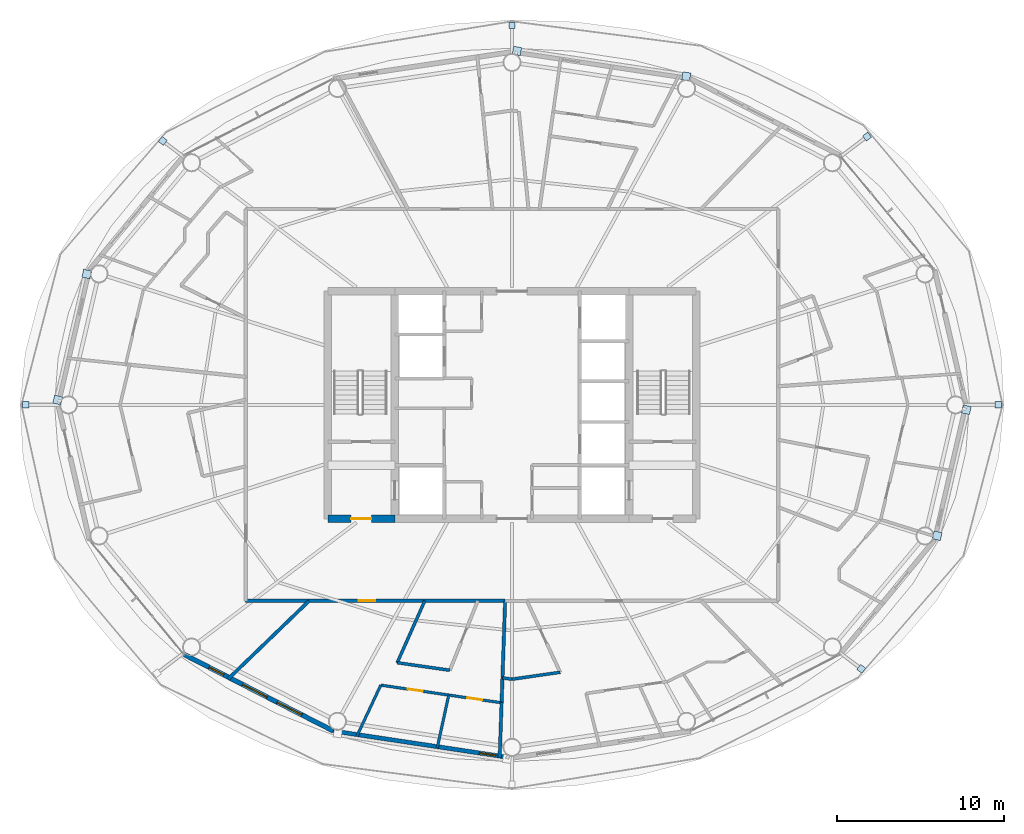
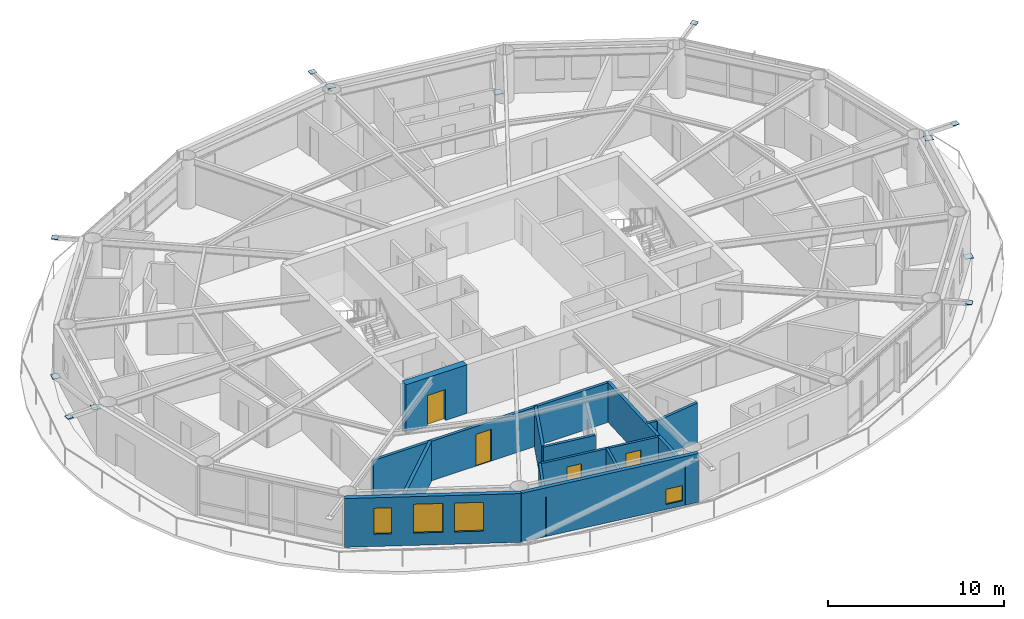
# One storey, part 20 of 28: 14 walls, 12 plates, 4 doors, 4 windows, 8 openings.
"""IFC4 building model written with IfcOpenShell, lengths in metres."""

from ifc_helpers import new_model, si_unit, direction, frame, frame_2d, origin, origin_2d, place, context, subcontext, project, spatial, rectangle, extrude, material, layer, layer_set, type_object, element, fill, save


model = new_model("IFC4")

# Units and contexts
model_context = context("Model", 3, precision=1e-05, world=origin(), true_north=direction((0.0, 1.0)))
body_context = subcontext(model_context, "Body", "Model", "MODEL_VIEW")
ifc_project = project(units=[si_unit("LENGTHUNIT", "METRE"), si_unit("AREAUNIT", "SQUARE_METRE"), si_unit("VOLUMEUNIT", "CUBIC_METRE"), si_unit("PLANEANGLEUNIT", "RADIAN"), si_unit("MASSUNIT", "GRAM", prefix="KILO")], contexts=[model_context])

# Site, building, storey
site_placement = place(None, origin())
site = spatial("IfcSite", under=ifc_project, at=site_placement, CompositionType="ELEMENT")
building_placement = place(site_placement, origin())
building = spatial("IfcBuilding", under=site, at=building_placement, Name="Sarneth Arch Tower", CompositionType="ELEMENT")
storey_placement = place(building_placement, frame((0.0, 0.0, 154.199951171875)))
storey = spatial("IfcBuildingStorey", under=building, at=storey_placement, Name="L38", CompositionType="ELEMENT", Elevation=154.199951171875)

# Plates
ifc_material_1 = material(Name="Steel S355", Category="steel")
ifc_layer_1 = layer(ifc_material_1, 0.035888671875)
ifc_layer_set_1 = layer_set([ifc_layer_1], Name="Steel S355")
plate_type = type_object("IfcPlateType", Name="PLT-GUSSET-30", PredefinedType="SHEET", material=ifc_layer_set_1)
for number, where, z_axis, x_axis, name in (
    (1, (77.03125, 42.0, 3.2021484375), (0.0, 0.0, 1.0), (1.0, 0.0, 0.0), "Steel end cap plate GP-1"),
    (2, (69.201416015625, 58.02294921875, 3.2021484375), (0.0, 0.0, 1.0), (0.797794439539, 0.602929541689, 0.0), "Steel end cap plate GP-1"),
):
    element("IfcPlate", number, at=place(storey_placement, frame(where, z_axis=z_axis, x_axis=x_axis)), inside=storey, type_object=plate_type, Name=name, PredefinedType="SHEET", context=body_context, shape_type="SweptSolid", body=[
        extrude(rectangle(XDim=0.3798828125, YDim=0.3798828125, at=origin_2d()), origin(), (0.0, 0.0, 1.0), 0.035888671875),
    ])
for number, where, z_axis, x_axis, name in (
    (3, (58.404296875, 61.612548828125, 0.001953125), (0.0, 0.0, 1.0), (-0.98883454203, 0.149017611339, 0.0), "Steel end cap plate GP-1"),
    (4, (48.296630859375, 63.13525390625, 3.03271484375), (0.0, 0.0, 1.0), (-0.98883454203, 0.149017611339, 0.0), "Steel end cap plate GP-1"),
):
    element("IfcPlate", number, at=place(storey_placement, frame(where, z_axis=z_axis, x_axis=x_axis)), inside=storey, type_object=plate_type, Name=name, PredefinedType="SHEET", context=body_context, shape_type="SweptSolid", body=[
        extrude(rectangle(XDim=0.486083984375, YDim=0.486083984375, at=origin_2d()), origin(), (0.0, 0.0, 1.0), 0.035888671875),
    ])
for number, where, z_axis, x_axis, name in (
    (5, (48.0, 64.65576171875, 3.2021484375), (0.0, 0.0, 1.0), (0.0, 1.0, 0.0), "Steel end cap plate GP-1"),
    (6, (27.144287109375, 57.76171875, 3.2021484375), (0.0, 0.0, 1.0), (-0.797794439539, 0.602929541689, 0.0), "Steel end cap plate GP-1"),
):
    element("IfcPlate", number, at=place(storey_placement, frame(where, z_axis=z_axis, x_axis=x_axis)), inside=storey, type_object=plate_type, Name=name, PredefinedType="SHEET", context=body_context, shape_type="SweptSolid", body=[
        extrude(rectangle(XDim=0.3798828125, YDim=0.3798828125, at=origin_2d()), origin(), (0.0, 0.0, 1.0), 0.035888671875),
    ])
for number, where, z_axis, x_axis, name in (
    (7, (22.609619140625, 49.81298828125, 0.001953125), (0.0, 0.0, 1.0), (-0.225291159947, -0.974291482694, 0.0), "Steel end cap plate GP-1"),
    (8, (20.87109375, 42.292236328125, 3.03271484375), (0.0, 0.0, 1.0), (-0.225291159947, -0.974291482694, 0.0), "Steel end cap plate GP-1"),
):
    element("IfcPlate", number, at=place(storey_placement, frame(where, z_axis=z_axis, x_axis=x_axis)), inside=storey, type_object=plate_type, Name=name, PredefinedType="SHEET", context=body_context, shape_type="SweptSolid", body=[
        extrude(rectangle(XDim=0.486083984375, YDim=0.486083984375, at=origin_2d()), origin(), (0.0, 0.0, 1.0), 0.035888671875),
    ])
for number, where, z_axis, x_axis, name in (
    (9, (18.96875, 42.0, 3.2021484375), (0.0, 0.0, 1.0), (-1.0, 0.0, 0.0), "Steel end cap plate GP-1"),
    (10, (68.855712890625, 26.23828125, 3.2021484375), (0.0, 0.0, 1.0), (0.797794439539, -0.602929541689, 0.0), "Steel end cap plate GP-1"),
):
    element("IfcPlate", number, at=place(storey_placement, frame(where, z_axis=z_axis, x_axis=x_axis)), inside=storey, type_object=plate_type, Name=name, PredefinedType="SHEET", context=body_context, shape_type="SweptSolid", body=[
        extrude(rectangle(XDim=0.3798828125, YDim=0.3798828125, at=origin_2d()), origin(), (0.0, 0.0, 1.0), 0.035888671875),
    ])
for number, where, z_axis, x_axis, name in (
    (11, (73.390380859375, 34.18701171875, 0.001953125), (0.0, 0.0, 1.0), (0.225291159947, 0.974291482694, 0.0), "Steel end cap plate GP-1"),
    (12, (75.12890625, 41.707763671875, 3.03271484375), (0.0, 0.0, 1.0), (0.225291159947, 0.974291482694, 0.0), "Steel end cap plate GP-1"),
):
    element("IfcPlate", number, at=place(storey_placement, frame(where, z_axis=z_axis, x_axis=x_axis)), inside=storey, type_object=plate_type, Name=name, PredefinedType="SHEET", context=body_context, shape_type="SweptSolid", body=[
        extrude(rectangle(XDim=0.486083984375, YDim=0.486083984375, at=origin_2d()), origin(), (0.0, 0.0, 1.0), 0.035888671875),
    ])

# Wall, opening, door
ifc_material_2 = material(Name="Concrete C50/60", Category="concrete")
ifc_layer_2 = layer(ifc_material_2, 0.449951171875)
ifc_layer_set_2 = layer_set([ifc_layer_2], Name="Concrete C50/60")
wall_type_1 = type_object("IfcWallType", Name="WALL-CORE-450", PredefinedType="SHEAR", material=ifc_layer_set_2)
wall_1_placement = place(storey_placement, frame((37.0, 35.199951171875, 0.0), z_axis=(0.0, 0.0, 1.0), x_axis=(1.0, 0.0, 0.0)))
wall_1 = element("IfcWall", 13, at=wall_1_placement, inside=storey, type_object=wall_type_1, Name="L38 Core shear wall S-W", PredefinedType="SHEAR", context=body_context, shape_type="SweptSolid", body=[
    extrude(rectangle(XDim=4.0, YDim=0.449951171875, at=frame_2d((2.0, 0.0))), origin(), (0.0, 0.0, 1.0), 3.380126953125),
])
opening_1_placement = place(wall_1_placement, frame((1.39990234375, 0.0, 0.0)))
opening_1 = element("IfcOpeningElement", 14, at=opening_1_placement, cuts=wall_1, Name="Opening FD-02", PredefinedType="OPENING", context=body_context, shape_type="SweptSolid", body=[
    extrude(rectangle(XDim=1.199951171875, YDim=2.14990234375, at=frame_2d((0.60009765625, 1.074951171875))), frame((0.0, 0.23486328125, 0.0), z_axis=(0.0, -1.0, 0.0), x_axis=(1.0, 0.0, 0.0)), (0.0, 0.0, 1.0), 0.469970703125),
])
ifc_material_3 = material(Name="Galvanised Steel S275 fire door set", Category="steel")
door_type_1 = type_object("IfcDoorType", Name="DR-FD90-1200", OperationType="SINGLE_SWING_LEFT", PredefinedType="DOOR", material=ifc_material_3)
door_1_placement = place(opening_1_placement, origin())
door_1 = element("IfcDoor", 15, at=door_1_placement, inside=storey, type_object=door_type_1, Name="L38 Firefighting lobby 1 exit door", OperationType="SINGLE_SWING_LEFT", OverallHeight=2.14990234375, OverallWidth=1.199951171875, PredefinedType="DOOR", context=body_context, shape_type="SweptSolid", body=[
    extrude(rectangle(XDim=1.199951171875, YDim=2.14990234375, at=frame_2d((0.60009765625, 1.074951171875))), frame((0.0, 0.02490234375, 0.0), z_axis=(0.0, -1.0, 0.0), x_axis=(1.0, 0.0, 0.0)), (0.0, 0.0, 1.0), 0.050048828125),
])
fill(opening_1, door_1)

ifc_material_4 = material(Name="Double steel-stud corridor fire wall", Category="steel")
ifc_layer_3 = layer(ifc_material_4, 0.18994140625)
ifc_layer_set_3 = layer_set([ifc_layer_3], Name="Double steel-stud corridor fire wall")
wall_type_2 = type_object("IfcWallType", Name="WALL-CORR-190", PredefinedType="PARTITIONING", material=ifc_layer_set_3)
wall_2_placement = place(storey_placement, frame((32.10009765625, 30.300048828125, 0.0), z_axis=(0.0, 0.0, 1.0), x_axis=(1.0, 0.0, 0.0)))
wall_2 = element("IfcWall", 16, at=wall_2_placement, inside=storey, type_object=wall_type_2, Name="L38 Interior partition W-L38-TP-018", PredefinedType="PARTITIONING", context=body_context, shape_type="SweptSolid", body=[
    extrude(rectangle(XDim=15.4912109375, YDim=0.18994140625, at=frame_2d((7.74560546875, 0.0))), origin(), (0.0, 0.0, 1.0), 2.739990234375),
])
opening_2_placement = place(wall_2_placement, frame((6.737548828125, 0.0, 0.0)))
opening_2 = element("IfcOpeningElement", 17, at=opening_2_placement, cuts=wall_2, Name="Opening FD-08", PredefinedType="OPENING", context=body_context, shape_type="SweptSolid", body=[
    extrude(rectangle(XDim=1.0, YDim=2.199951171875, at=frame_2d((0.5, 1.10009765625))), frame((0.0, 0.10498046875, 0.0), z_axis=(0.0, -1.0, 0.0), x_axis=(1.0, 0.0, 0.0)), (0.0, 0.0, 1.0), 0.2099609375),
])
ifc_material_5 = material(Name="Hardwood timber acoustic fire door", Category="wood")
door_type_2 = type_object("IfcDoorType", Name="DR-FD60-1000", OperationType="SINGLE_SWING_LEFT", PredefinedType="DOOR", material=ifc_material_5)
door_2_placement = place(opening_2_placement, origin())
door_2 = element("IfcDoor", 18, at=door_2_placement, inside=storey, type_object=door_type_2, Name="L38 Interior door DR-L38-U6-ENT", OperationType="SINGLE_SWING_RIGHT", OverallHeight=2.199951171875, OverallWidth=1.0, PredefinedType="DOOR", context=body_context, shape_type="SweptSolid", body=[
    extrude(rectangle(XDim=1.0, YDim=2.199951171875, at=frame_2d((0.5, 1.10009765625))), frame((0.0, 0.02490234375, 0.0), z_axis=(0.0, -1.0, 0.0), x_axis=(1.0, 0.0, 0.0)), (0.0, 0.0, 1.0), 0.050048828125),
])
fill(opening_2, door_2)

# Wall, opening, window
ifc_material_6 = material(Name="Extruded terracotta rainscreen on Concrete C40/50 backing", Category="masonry")
ifc_layer_4 = layer(ifc_material_6, 0.25)
ifc_layer_set_4 = layer_set([ifc_layer_4], Name="Extruded terracotta rainscreen on Concrete C40/50 backing")
wall_type_3 = type_object("IfcWallType", Name="WALL-EXT-SPAND-250", PredefinedType="SOLIDWALL", material=ifc_layer_set_4)
wall_3_placement = place(storey_placement, frame((37.337158203125, 22.524658203125, 0.0), z_axis=(0.0, 0.0, 1.0), x_axis=(0.988863993413, -0.148822049884, 0.0)))
wall_3 = element("IfcWall", 19, at=wall_3_placement, inside=storey, type_object=wall_type_3, Name="L38 Terracotta perimeter wall 12", PredefinedType="SOLIDWALL", context=body_context, shape_type="SweptSolid", body=[
    extrude(rectangle(XDim=10.782958984375, YDim=0.25, at=frame_2d((5.3916015625, 0.0))), origin(), (0.0, 0.0, 1.0), 3.380126953125),
])
opening_3_placement = place(wall_3_placement, frame((8.809326171875, 0.0, 0.35009765625)))
opening_3 = element("IfcOpeningElement", 20, at=opening_3_placement, cuts=wall_3, Name="Opening W-14", PredefinedType="OPENING", context=body_context, shape_type="SweptSolid", body=[
    extrude(rectangle(XDim=1.0, YDim=1.050048828125, at=frame_2d((0.5, 0.52490234375))), frame((0.0, 0.135009765625, 0.0), z_axis=(0.0, -1.0, 0.0), x_axis=(1.0, 0.0, 0.0)), (0.0, 0.0, 1.0), 0.27001953125),
])
ifc_material_7 = material(Name="Thermally broken Aluminium 6063-T6 and low-e laminated IGU", Category="aluminium")
window_type_1 = type_object("IfcWindowType", Name="WIN-TWR-1000x1050", PartitioningType="SINGLE_PANEL", PredefinedType="WINDOW", material=ifc_material_7)
window_1_placement = place(opening_3_placement, origin())
window_1 = element("IfcWindow", 21, at=window_1_placement, inside=storey, type_object=window_type_1, Name="L38 Dwelling bedroom window 03", OverallHeight=1.050048828125, OverallWidth=1.0, PartitioningType="SINGLE_PANEL", PredefinedType="WINDOW", context=body_context, shape_type="SweptSolid", body=[
    extrude(rectangle(XDim=1.0, YDim=1.050048828125, at=frame_2d((0.5, 0.52490234375))), frame((0.0, 0.030029296875, 0.0), z_axis=(0.0, -1.0, 0.0), x_axis=(1.0, 0.0, 0.0)), (0.0, 0.0, 1.0), 0.06005859375),
])
fill(opening_3, window_1)

# Wall, openings, windows
ifc_material_8 = material(Name="Extruded terracotta rainscreen on Concrete C40/50 backing", Category="masonry")
ifc_layer_5 = layer(ifc_material_8, 0.280029296875)
ifc_layer_set_5 = layer_set([ifc_layer_5], Name="Extruded terracotta rainscreen on Concrete C40/50 backing")
wall_type_4 = type_object("IfcWallType", Name="WALL-EXT-TERRA-280", PredefinedType="SOLIDWALL", material=ifc_layer_set_5)
wall_4_placement = place(storey_placement, frame((28.423828125, 27.09423828125, 0.0), z_axis=(0.0, 0.0, 1.0), x_axis=(0.889872523182, -0.456209263919, 0.0)))
wall_4 = element("IfcWall", 22, at=wall_4_placement, inside=storey, type_object=wall_type_4, Name="L38 Terracotta perimeter wall 11", PredefinedType="SOLIDWALL", context=body_context, shape_type="SweptSolid", body=[
    extrude(rectangle(XDim=10.016357421875, YDim=0.280029296875, at=frame_2d((5.00830078125, 0.0))), origin(), (0.0, 0.0, 1.0), 3.380126953125),
])
opening_4_placement = place(wall_4_placement, frame((1.67041015625, 0.0, 0.85009765625)))
opening_4 = element("IfcOpeningElement", 23, at=opening_4_placement, cuts=wall_4, Name="Opening W-11", PredefinedType="OPENING", context=body_context, shape_type="SweptSolid", body=[
    extrude(rectangle(XDim=1.0, YDim=1.800048828125, at=frame_2d((0.5, 0.89990234375))), frame((0.0, 0.14990234375, 0.0), z_axis=(0.0, -1.0, 0.0), x_axis=(1.0, 0.0, 0.0)), (0.0, 0.0, 1.0), 0.300048828125),
])
opening_5_placement = place(wall_4_placement, frame((3.922119140625, 0.0, 0.85009765625)))
opening_5 = element("IfcOpeningElement", 24, at=opening_5_placement, cuts=wall_4, Name="Opening W-05", PredefinedType="OPENING", context=body_context, shape_type="SweptSolid", body=[
    extrude(rectangle(XDim=1.64990234375, YDim=2.0, at=frame_2d((0.824951171875, 1.0))), frame((0.0, 0.14990234375, 0.0), z_axis=(0.0, -1.0, 0.0), x_axis=(1.0, 0.0, 0.0)), (0.0, 0.0, 1.0), 0.300048828125),
])
opening_6_placement = place(wall_4_placement, frame((6.243896484375, 0.0, 0.85009765625)))
opening_6 = element("IfcOpeningElement", 25, at=opening_6_placement, cuts=wall_4, Name="Opening W-05", PredefinedType="OPENING", context=body_context, shape_type="SweptSolid", body=[
    extrude(rectangle(XDim=1.64990234375, YDim=2.0, at=frame_2d((0.824951171875, 1.0))), frame((0.0, 0.14990234375, 0.0), z_axis=(0.0, -1.0, 0.0), x_axis=(1.0, 0.0, 0.0)), (0.0, 0.0, 1.0), 0.300048828125),
])
ifc_material_9 = material(Name="Thermally broken Aluminium 6063-T6 and low-e laminated IGU", Category="aluminium")
window_type_2 = type_object("IfcWindowType", Name="WIN-TWR-1000x1800", PartitioningType="SINGLE_PANEL", PredefinedType="WINDOW", material=ifc_material_9)
window_2_placement = place(opening_4_placement, origin())
window_2 = element("IfcWindow", 26, at=window_2_placement, inside=storey, type_object=window_type_2, Name="L38 Exterior window 11A", OverallHeight=1.800048828125, OverallWidth=1.0, PartitioningType="SINGLE_PANEL", PredefinedType="WINDOW", context=body_context, shape_type="SweptSolid", body=[
    extrude(rectangle(XDim=1.0, YDim=1.800048828125, at=frame_2d((0.5, 0.89990234375))), frame((0.0, 0.030029296875, 0.0), z_axis=(0.0, -1.0, 0.0), x_axis=(1.0, 0.0, 0.0)), (0.0, 0.0, 1.0), 0.06005859375),
])
fill(opening_4, window_2)
ifc_material_10 = material(Name="Thermally broken Aluminium 6063-T6 and low-e laminated IGU", Category="aluminium")
window_type_3 = type_object("IfcWindowType", Name="WIN-TWR-1650x2000", PartitioningType="DOUBLE_PANEL_VERTICAL", PredefinedType="WINDOW", material=ifc_material_10)
window_3_placement = place(opening_5_placement, origin())
window_3 = element("IfcWindow", 27, at=window_3_placement, inside=storey, type_object=window_type_3, Name="L38 Exterior window 11B", OverallHeight=2.0, OverallWidth=1.64990234375, PartitioningType="SINGLE_PANEL", PredefinedType="WINDOW", context=body_context, shape_type="SweptSolid", body=[
    extrude(rectangle(XDim=1.64990234375, YDim=2.0, at=frame_2d((0.824951171875, 1.0))), frame((0.0, 0.030029296875, 0.0), z_axis=(0.0, -1.0, 0.0), x_axis=(1.0, 0.0, 0.0)), (0.0, 0.0, 1.0), 0.06005859375),
])
fill(opening_5, window_3)
window_4_placement = place(opening_6_placement, origin())
window_4 = element("IfcWindow", 28, at=window_4_placement, inside=storey, type_object=window_type_3, Name="L38 Exterior window 11C", OverallHeight=2.0, OverallWidth=1.64990234375, PartitioningType="SINGLE_PANEL", PredefinedType="WINDOW", context=body_context, shape_type="SweptSolid", body=[
    extrude(rectangle(XDim=1.64990234375, YDim=2.0, at=frame_2d((0.824951171875, 1.0))), frame((0.0, 0.030029296875, 0.0), z_axis=(0.0, -1.0, 0.0), x_axis=(1.0, 0.0, 0.0)), (0.0, 0.0, 1.0), 0.06005859375),
])
fill(opening_6, window_4)

# Wall, openings, doors
ifc_material_11 = material(Name="Kitchen wet service chase wall", Category="gypsum")
ifc_layer_6 = layer(ifc_material_11, 0.159912109375)
ifc_layer_set_6 = layer_set([ifc_layer_6], Name="Kitchen wet service chase wall")
wall_type_5 = type_object("IfcWallType", Name="WALL-PLUMB-160", PredefinedType="PLUMBINGWALL", material=ifc_layer_set_6)
wall_5_placement = place(storey_placement, frame((47.37890625, 24.2109375, 0.0), z_axis=(0.0, 0.0, 1.0), x_axis=(-0.989473930598, 0.144711231999, 0.0)))
wall_5 = element("IfcWall", 29, at=wall_5_placement, inside=storey, type_object=wall_type_5, Name="L38 Interior partition W-L38-TP-077", PredefinedType="PLUMBINGWALL", context=body_context, shape_type="SweptSolid", body=[
    extrude(rectangle(XDim=7.29150390625, YDim=0.159912109375, at=frame_2d((3.645751953125, 0.0))), origin(), (0.0, 0.0, 1.0), 2.739990234375),
])
opening_7_placement = place(wall_5_placement, frame((4.7744140625, 0.0, 0.0)))
opening_7 = element("IfcOpeningElement", 30, at=opening_7_placement, cuts=wall_5, Name="Opening ID-01", PredefinedType="OPENING", context=body_context, shape_type="SweptSolid", body=[
    extrude(rectangle(XDim=0.89990234375, YDim=2.10009765625, at=frame_2d((0.449951171875, 1.050048828125))), frame((0.0, 0.08984375, 0.0), z_axis=(0.0, -1.0, 0.0), x_axis=(1.0, 0.0, 0.0)), (0.0, 0.0, 1.0), 0.179931640625),
])
opening_8_placement = place(wall_5_placement, frame((1.160888671875, 0.0, 0.0)))
opening_8 = element("IfcOpeningElement", 31, at=opening_8_placement, cuts=wall_5, Name="Opening ID-01", PredefinedType="OPENING", context=body_context, shape_type="SweptSolid", body=[
    extrude(rectangle(XDim=0.89990234375, YDim=2.10009765625, at=frame_2d((0.449951171875, 1.050048828125))), frame((0.0, 0.08984375, 0.0), z_axis=(0.0, -1.0, 0.0), x_axis=(1.0, 0.0, 0.0)), (0.0, 0.0, 1.0), 0.179931640625),
])
ifc_material_12 = material(Name="Engineered hardwood flush door", Category="wood")
door_type_3 = type_object("IfcDoorType", Name="DR-INT-900", OperationType="SINGLE_SWING_LEFT", PredefinedType="DOOR", material=ifc_material_12)
door_3_placement = place(opening_7_placement, origin())
door_3 = element("IfcDoor", 32, at=door_3_placement, inside=storey, type_object=door_type_3, Name="L38 Interior door DR-L38-U6-KIT", OperationType="SINGLE_SWING_LEFT", OverallHeight=2.10009765625, OverallWidth=0.89990234375, PredefinedType="DOOR", context=body_context, shape_type="SweptSolid", body=[
    extrude(rectangle(XDim=0.89990234375, YDim=2.10009765625, at=frame_2d((0.449951171875, 1.050048828125))), frame((0.0, 0.02490234375, 0.0), z_axis=(0.0, -1.0, 0.0), x_axis=(1.0, 0.0, 0.0)), (0.0, 0.0, 1.0), 0.050048828125),
])
fill(opening_7, door_3)
door_4_placement = place(opening_8_placement, origin())
door_4 = element("IfcDoor", 33, at=door_4_placement, inside=storey, type_object=door_type_3, Name="L38 Interior door DR-L38-U6-BED1", OperationType="SINGLE_SWING_RIGHT", OverallHeight=2.10009765625, OverallWidth=0.89990234375, PredefinedType="DOOR", context=body_context, shape_type="SweptSolid", body=[
    extrude(rectangle(XDim=0.89990234375, YDim=2.10009765625, at=frame_2d((0.449951171875, 1.050048828125))), frame((0.0, 0.02490234375, 0.0), z_axis=(0.0, -1.0, 0.0), x_axis=(1.0, 0.0, 0.0)), (0.0, 0.0, 1.0), 0.050048828125),
])
fill(opening_8, door_4)

# Walls
wall_6_placement = place(storey_placement, frame((40.1640625, 25.26611328125, 0.0), z_axis=(0.0, 0.0, 1.0), x_axis=(-0.4240847822, -0.905622491718, 0.0)))
element("IfcWall", 34, at=wall_6_placement, inside=storey, type_object=wall_type_5, Name="L38 Interior partition W-L38-TP-078", PredefinedType="PLUMBINGWALL", context=body_context, shape_type="SweptSolid", body=[
    extrude(rectangle(XDim=3.38671875, YDim=0.159912109375, at=frame_2d((1.693359375, 0.0))), origin(), (0.0, 0.0, 1.0), 2.739990234375),
])
wall_7_placement = place(storey_placement, frame((44.22265625, 24.672607421875, 0.0), z_axis=(0.0, 0.0, 1.0), x_axis=(-0.213029945557, -0.977045670527, 0.0)))
element("IfcWall", 35, at=wall_7_placement, inside=storey, type_object=wall_type_5, Name="L38 Interior partition W-L38-TP-085", PredefinedType="PLUMBINGWALL", context=body_context, shape_type="SweptSolid", body=[
    extrude(rectangle(XDim=3.275390625, YDim=0.159912109375, at=frame_2d((1.6376953125, 0.0))), origin(), (0.0, 0.0, 1.0), 2.739990234375),
])
ifc_material_13 = material(Name="Moisture-resistant plumbing chase wall", Category="gypsum")
ifc_layer_7 = layer(ifc_material_13, 0.179931640625)
ifc_layer_set_7 = layer_set([ifc_layer_7], Name="Moisture-resistant plumbing chase wall")
wall_type_6 = type_object("IfcWallType", Name="WALL-PLUMB-180", PredefinedType="PLUMBINGWALL", material=ifc_layer_set_7)
wall_8_placement = place(storey_placement, frame((42.790771484375, 30.300048828125, 0.0), z_axis=(0.0, 0.0, 1.0), x_axis=(-0.406732062562, -0.913547497005, 0.0)))
element("IfcWall", 36, at=wall_8_placement, inside=storey, type_object=wall_type_6, Name="L38 Interior partition W-L38-TP-079", PredefinedType="PLUMBINGWALL", context=body_context, shape_type="SweptSolid", body=[
    extrude(rectangle(XDim=4.04443359375, YDim=0.179931640625, at=frame_2d((2.022216796875, 0.0))), origin(), (0.0, 0.0, 1.0), 2.739990234375),
])
wall_9_placement = place(storey_placement, frame((41.145751953125, 26.605224609375, 0.0), z_axis=(0.0, 0.0, 1.0), x_axis=(0.989829176861, -0.142261029925, 0.0)))
element("IfcWall", 37, at=wall_9_placement, inside=storey, type_object=wall_type_6, Name="L38 Interior partition W-L38-TP-080", PredefinedType="PLUMBINGWALL", context=body_context, shape_type="SweptSolid", body=[
    extrude(rectangle(XDim=3.1748046875, YDim=0.179931640625, at=frame_2d((1.58740234375, 0.0))), origin(), (0.0, 0.0, 1.0), 2.739990234375),
])
wall_10_placement = place(storey_placement, frame((50.876708984375, 26.033447265625, 0.0), z_axis=(0.0, 0.0, 1.0), x_axis=(-0.989834923367, -0.142221040929, 0.0)))
element("IfcWall", 38, at=wall_10_placement, inside=storey, type_object=wall_type_6, Name="L38 Interior partition W-L38-TP-090", PredefinedType="PLUMBINGWALL", context=body_context, shape_type="SweptSolid", body=[
    extrude(rectangle(XDim=2.90625, YDim=0.179931640625, at=frame_2d((1.453125, 0.0))), origin(), (0.0, 0.0, 1.0), 2.739990234375),
])
wall_11_placement = place(storey_placement, frame((48.0, 25.6201171875, 0.0), z_axis=(0.0, 0.0, 1.0), x_axis=(-0.989830245264, 0.142253595952, 0.0)))
element("IfcWall", 39, at=wall_11_placement, inside=storey, type_object=wall_type_6, Name="L38 Interior partition W-L38-TP-091", PredefinedType="PLUMBINGWALL", context=body_context, shape_type="SweptSolid", body=[
    extrude(rectangle(XDim=0.574951171875, YDim=0.179931640625, at=frame_2d((0.28759765625, 0.0))), origin(), (0.0, 0.0, 1.0), 2.739990234375),
])
ifc_material_14 = material(Name="Double steel-stud acoustic drywall", Category="steel")
ifc_layer_8 = layer(ifc_material_14, 0.199951171875)
ifc_layer_set_8 = layer_set([ifc_layer_8], Name="Double steel-stud acoustic drywall")
wall_type_7 = type_object("IfcWallType", Name="WALL-UNIT-200", PredefinedType="PARTITIONING", material=ifc_layer_set_8)
wall_12_placement = place(storey_placement, frame((31.042236328125, 25.6240234375, 0.0), z_axis=(0.0, 0.0, 1.0), x_axis=(0.719330837604, 0.694667651522, 0.0)))
element("IfcWall", 40, at=wall_12_placement, inside=storey, type_object=wall_type_7, Name="L38 Interior partition W-L38-TP-076", PredefinedType="PARTITIONING", context=body_context, shape_type="SweptSolid", body=[
    extrude(rectangle(XDim=6.731201171875, YDim=0.199951171875, at=frame_2d((3.36572265625, 0.0))), origin(), (0.0, 0.0, 1.0), 2.739990234375),
])
wall_13_placement = place(storey_placement, frame((47.59130859375, 30.300048828125, 0.0), z_axis=(0.0, 0.0, 1.0), x_axis=(-0.034861119634, -0.999392166438, 0.0)))
element("IfcWall", 41, at=wall_13_placement, inside=storey, type_object=wall_type_7, Name="L38 Interior partition W-L38-TP-084", PredefinedType="PARTITIONING", context=body_context, shape_type="SweptSolid", body=[
    extrude(rectangle(XDim=6.0927734375, YDim=0.199951171875, at=frame_2d((3.04638671875, 0.0))), origin(), (0.0, 0.0, 1.0), 2.739990234375),
])
wall_14_placement = place(storey_placement, frame((47.263427734375, 20.910400390625, 0.0), z_axis=(0.0, 0.0, 1.0), x_axis=(0.034921182562, 0.999390069497, 0.0)))
element("IfcWall", 42, at=wall_14_placement, inside=storey, type_object=wall_type_7, Name="L38 Interior partition W-L38-TP-086", PredefinedType="PARTITIONING", context=body_context, shape_type="SweptSolid", body=[
    extrude(rectangle(XDim=3.334716796875, YDim=0.199951171875, at=frame_2d((1.66748046875, 0.0))), origin(), (0.0, 0.0, 1.0), 2.739990234375),
])

save(model, "model.ifc")
